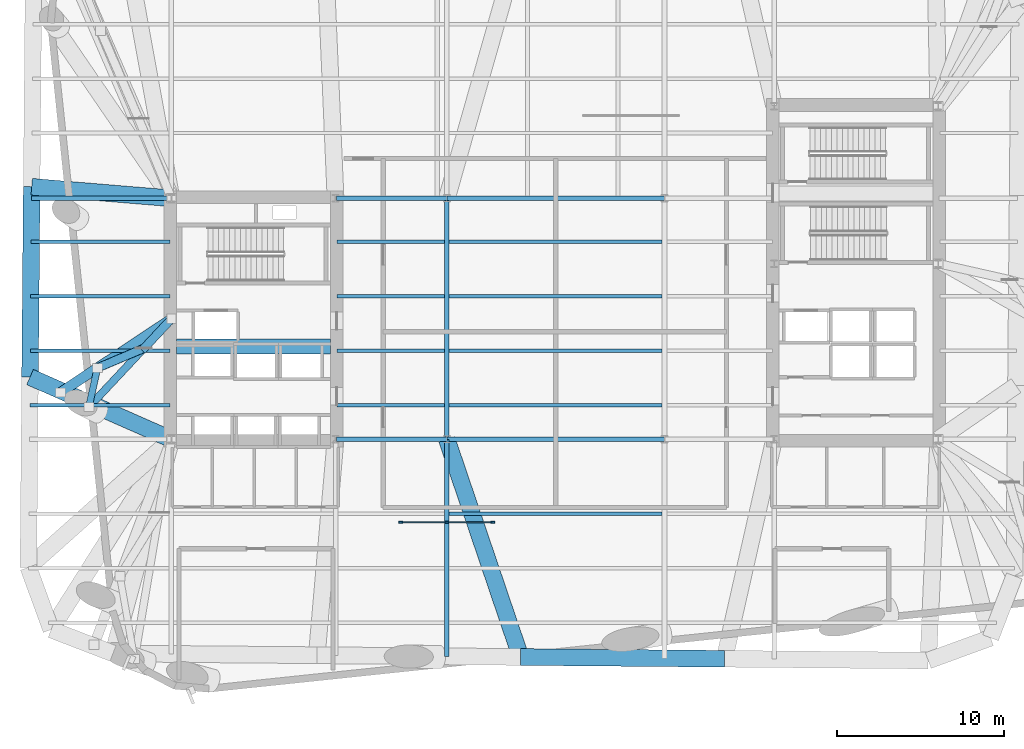
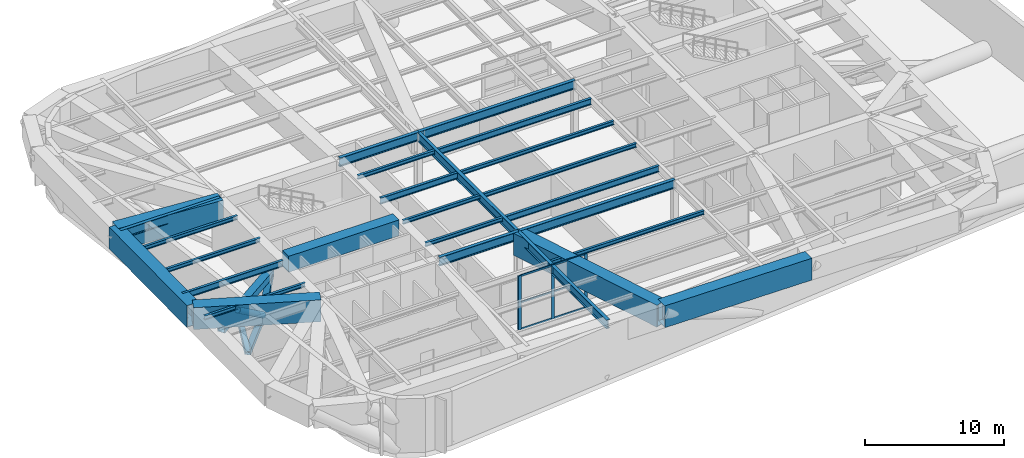
# One storey, part 2 of 15: 26 beams, 14 members, 1 element without a shape of its own.
"""IFC4 building model written with IfcOpenShell, lengths in metres."""

from ifc_helpers import new_model, si_unit, direction, frame, origin, origin_2d, place, context, subcontext, project, spatial, rectangle, hollow_rectangle, hollow_circle, i_section, extrude, material, material_profile, profile_set, type_object, element, aggregate, save


model = new_model("IFC4")

# Units and contexts
model_context = context("Model", 3, precision=1e-05, world=origin(), true_north=direction((0.0, 1.0)))
body_context = subcontext(model_context, "Body", "Model", "MODEL_VIEW")
ifc_project = project(units=[si_unit("LENGTHUNIT", "METRE"), si_unit("AREAUNIT", "SQUARE_METRE"), si_unit("VOLUMEUNIT", "CUBIC_METRE"), si_unit("PLANEANGLEUNIT", "RADIAN"), si_unit("MASSUNIT", "GRAM", prefix="KILO")], contexts=[model_context])

# Site, building, storey
site_placement = place(None, origin())
site = spatial("IfcSite", under=ifc_project, at=site_placement, CompositionType="ELEMENT")
building_placement = place(site_placement, origin())
building = spatial("IfcBuilding", under=site, at=building_placement, Name="Kolvaren Arena Tower", CompositionType="ELEMENT")
storey_placement = place(building_placement, frame((0.0, 0.0, 153.25)))
storey = spatial("IfcBuildingStorey", under=building, at=storey_placement, Name="L36", CompositionType="ELEMENT", Elevation=153.25)

# Beams
ifc_material_1 = material(Name="Steel CSA G40.21 350W", Category="steel")
ifc_material_profile_1 = material_profile(ifc_material_1, i_section(OverallWidth=0.2119140625, OverallDepth=0.54296875, WebThickness=0.01318359375, FlangeThickness=0.0244140625, FilletRadius=0.013916015625, at=origin_2d()), Name="W530x150")
ifc_profile_set_1 = profile_set([ifc_material_profile_1], Name="Steel CSA G40.21 350W")
beam_type_1 = type_object("IfcBeamType", Name="BEAM-F1", PredefinedType="BEAM", material=ifc_profile_set_1)
beam_1_placement = place(storey_placement, frame((31.135009765625, 21.5, 4.478515625), z_axis=(1.0, 0.0, 0.0), x_axis=(0.0, 1.0, 0.0)))
element("IfcBeam", 1, at=beam_1_placement, inside=storey, type_object=beam_type_1, Name="Composite Floor Beam (L36)", PredefinedType="BEAM", context=body_context, shape_type="SweptSolid", body=[
    extrude(i_section(OverallWidth=0.2119140625, OverallDepth=0.54296875, WebThickness=0.01318359375, FlangeThickness=0.0244140625, FilletRadius=0.013916015625, at=origin_2d()), origin(), (0.0, 0.0, 1.0), 12.72998046875),
])
beam_2_placement = place(storey_placement, frame((6.115234375, 24.75, 4.478515625), z_axis=(1.0, 0.0, 0.0), x_axis=(0.0, 1.0, 0.0)))
element("IfcBeam", 2, at=beam_2_placement, inside=storey, type_object=beam_type_1, Name="Composite Floor Beam (L36)", PredefinedType="BEAM", context=body_context, shape_type="SweptSolid", body=[
    extrude(i_section(OverallWidth=0.2119140625, OverallDepth=0.54296875, WebThickness=0.01318359375, FlangeThickness=0.0244140625, FilletRadius=0.013916015625, at=origin_2d()), origin(), (0.0, 0.0, 1.0), 8.33984375),
])
beam_3_placement = place(storey_placement, frame((24.445068359375, 28.0, 4.478515625), z_axis=(1.0, 0.0, 0.0), x_axis=(0.0, 1.0, 0.0)))
element("IfcBeam", 3, at=beam_3_placement, inside=storey, type_object=beam_type_1, Name="Composite Floor Beam (L36)", PredefinedType="BEAM", context=body_context, shape_type="SweptSolid", body=[
    extrude(i_section(OverallWidth=0.2119140625, OverallDepth=0.54296875, WebThickness=0.01318359375, FlangeThickness=0.0244140625, FilletRadius=0.013916015625, at=origin_2d()), origin(), (0.0, 0.0, 1.0), 6.419921875),
])
beam_4_placement = place(storey_placement, frame((31.135009765625, 31.25, 4.478515625), z_axis=(1.0, 0.0, 0.0), x_axis=(0.0, 1.0, 0.0)))
element("IfcBeam", 4, at=beam_4_placement, inside=storey, type_object=beam_type_1, Name="Composite Floor Beam (L36)", PredefinedType="BEAM", context=body_context, shape_type="SweptSolid", body=[
    extrude(i_section(OverallWidth=0.2119140625, OverallDepth=0.54296875, WebThickness=0.01318359375, FlangeThickness=0.0244140625, FilletRadius=0.013916015625, at=origin_2d()), origin(), (0.0, 0.0, 1.0), 12.72998046875),
])

# Members
ifc_material_2 = material(Name="Steel CSA G40.21 350WT", Category="steel")
ifc_material_profile_2 = material_profile(ifc_material_2, hollow_rectangle(XDim=0.449951171875, YDim=0.449951171875, WallThickness=0.02001953125, at=origin_2d()), Name="HSS 450x450x20")
ifc_profile_set_2 = profile_set([ifc_material_profile_2], Name="Steel CSA G40.21 350WT")
member_type_1 = type_object("IfcMemberType", Name="BELT-CHORD", PredefinedType="CHORD", material=ifc_profile_set_2)
member_1_placement = place(storey_placement, frame((14.550048828125, 26.64990234375, 0.35009765625), z_axis=(-0.683453818061, -0.729993752423, 0.0), x_axis=(0.729993752423, -0.683453818061, 0.0)))
element("IfcMember", 5, at=member_1_placement, inside=storey, type_object=member_type_1, Name="Belt Truss Bottom Chord 5 (L36)", PredefinedType="CHORD", context=body_context, shape_type="SweptSolid", body=[
    extrude(hollow_rectangle(XDim=0.449951171875, YDim=0.449951171875, WallThickness=0.02001953125, at=origin_2d()), origin(), (0.0, 0.0, 1.0), 7.21826171875),
])
ifc_material_profile_3 = material_profile(ifc_material_2, hollow_rectangle(XDim=0.39990234375, YDim=0.39990234375, WallThickness=0.01611328125, at=origin_2d()), Name="HSS 400x400x16")
ifc_profile_set_3 = profile_set([ifc_material_profile_3], Name="Steel CSA G40.21 350WT")
member_type_2 = type_object("IfcMemberType", Name="BELT-DIAG", PredefinedType="BRACE", material=ifc_profile_set_3)
member_2_placement = place(storey_placement, frame((10.126708984375, 23.7158203125, 2.47998046875), z_axis=(-0.159302669082, -0.729406428802, -0.665273568726), x_axis=(0.97697126128, -0.213370932024, 0.0)))
element("IfcMember", 6, at=member_2_placement, inside=storey, type_object=member_type_2, Name="Belt Truss Warren Diagonal C 5 (L36)", PredefinedType="BRACE", context=body_context, shape_type="SweptSolid", body=[
    extrude(hollow_rectangle(XDim=0.39990234375, YDim=0.39990234375, WallThickness=0.01611328125, at=origin_2d()), origin(), (0.0, 0.0, 1.0), 3.201416015625),
])

# Beam
ifc_material_3 = material(Name="Concrete 75 MPa", Category="concrete")
ifc_material_profile_4 = material_profile(ifc_material_3, rectangle(XDim=0.89990234375, YDim=1.39990234375, at=origin_2d()), Name="RC-900x1400")
ifc_profile_set_4 = profile_set([ifc_material_profile_4], Name="Concrete 75 MPa")
beam_type_2 = type_object("IfcBeamType", Name="CB-CORE-1", PredefinedType="BEAM", material=ifc_profile_set_4)
beam_5_placement = place(storey_placement, frame((14.85009765625, 25.0, 4.320068359375), z_axis=(1.0, 0.0, 0.0), x_axis=(0.0, 1.0, 0.0)))
element("IfcBeam", 7, at=beam_5_placement, inside=storey, type_object=beam_type_2, Name="West Core Coupling Beam (L36)", PredefinedType="BEAM", context=body_context, shape_type="SweptSolid", body=[
    extrude(rectangle(XDim=0.89990234375, YDim=1.39990234375, at=origin_2d()), origin(), (0.0, 0.0, 1.0), 9.199951171875),
])

# Curtain wall, members
ifc_material_4 = material(Name="Anodised aluminium unitised curtain wall", Category="aluminium")
curtain_wall_type = type_object("IfcCurtainWallType", Name="CW-SYS-05", PredefinedType="USERDEFINED", material=ifc_material_4)
curtain_wall_placement = place(storey_placement, origin())
curtain_wall = element("IfcCurtainWall", 8, at=curtain_wall_placement, inside=storey, type_object=curtain_wall_type, Name="Mechanical Plant Louvre Curtain Wall (L36)", ObjectType="ACOUSTIC LOUVRE SCREEN", PredefinedType="USERDEFINED")
ifc_material_5 = material(Name="Anodised aluminium 6063-T6", Category="aluminium")
ifc_material_profile_5 = material_profile(ifc_material_5, rectangle(XDim=0.10009765625, YDim=0.239990234375, at=origin_2d()), Name="ALU-100x240")
ifc_profile_set_5 = profile_set([ifc_material_profile_5], Name="Anodised aluminium 6063-T6")
member_type_3 = type_object("IfcMemberType", Name="CWM-HVY", PredefinedType="MULLION", material=ifc_profile_set_5)
member_3_placement = place(storey_placement, frame((28.25, 14.5, 0.0), z_axis=(0.0, 0.0, 1.0), x_axis=(0.0, 1.0, 0.0)))
member_3 = element("IfcMember", 9, at=member_3_placement, type_object=member_type_3, Name="CW5 mullion 1", PredefinedType="MULLION", context=body_context, shape_type="SweptSolid", body=[
    extrude(rectangle(XDim=0.10009765625, YDim=0.239990234375, at=origin_2d()), origin(), (0.0, 0.0, 1.0), 4.75),
])
member_4_placement = place(storey_placement, frame((31.0, 14.5, 0.0), z_axis=(0.0, 0.0, 1.0), x_axis=(0.0, 1.0, 0.0)))
member_4 = element("IfcMember", 10, at=member_4_placement, type_object=member_type_3, Name="CW5 mullion 2", PredefinedType="MULLION", context=body_context, shape_type="SweptSolid", body=[
    extrude(rectangle(XDim=0.10009765625, YDim=0.239990234375, at=origin_2d()), origin(), (0.0, 0.0, 1.0), 4.75),
])
member_5_placement = place(storey_placement, frame((33.75, 14.5, 0.0), z_axis=(0.0, 0.0, 1.0), x_axis=(0.0, 1.0, 0.0)))
member_5 = element("IfcMember", 11, at=member_5_placement, type_object=member_type_3, Name="CW5 mullion 3", PredefinedType="MULLION", context=body_context, shape_type="SweptSolid", body=[
    extrude(rectangle(XDim=0.10009765625, YDim=0.239990234375, at=origin_2d()), origin(), (0.0, 0.0, 1.0), 4.75),
])
ifc_material_profile_6 = material_profile(ifc_material_5, rectangle(XDim=0.080078125, YDim=0.14990234375, at=origin_2d()), Name="ALU-80x150")
ifc_profile_set_6 = profile_set([ifc_material_profile_6], Name="Anodised aluminium 6063-T6")
member_type_4 = type_object("IfcMemberType", Name="CWT-STD", PredefinedType="USERDEFINED", material=ifc_profile_set_6)
member_6_placement = place(storey_placement, frame((28.300048828125, 14.5, 0.0400390625), z_axis=(1.0, 0.0, 0.0), x_axis=(0.0, 1.0, 0.0)))
member_6 = element("IfcMember", 12, at=member_6_placement, type_object=member_type_4, Name="CW5 transom 1.1", ObjectType="TRANSOM", PredefinedType="USERDEFINED", context=body_context, shape_type="SweptSolid", body=[
    extrude(rectangle(XDim=0.080078125, YDim=0.14990234375, at=origin_2d()), origin(), (0.0, 0.0, 1.0), 2.64990234375),
])
member_7_placement = place(storey_placement, frame((28.300048828125, 14.5, 2.375), z_axis=(1.0, 0.0, 0.0), x_axis=(0.0, 1.0, 0.0)))
member_7 = element("IfcMember", 13, at=member_7_placement, type_object=member_type_4, Name="CW5 transom 1.2", ObjectType="TRANSOM", PredefinedType="USERDEFINED", context=body_context, shape_type="SweptSolid", body=[
    extrude(rectangle(XDim=0.080078125, YDim=0.14990234375, at=origin_2d()), origin(), (0.0, 0.0, 1.0), 2.64990234375),
])
member_8_placement = place(storey_placement, frame((28.300048828125, 14.5, 4.7099609375), z_axis=(1.0, 0.0, 0.0), x_axis=(0.0, 1.0, 0.0)))
member_8 = element("IfcMember", 14, at=member_8_placement, type_object=member_type_4, Name="CW5 transom 1.3", ObjectType="TRANSOM", PredefinedType="USERDEFINED", context=body_context, shape_type="SweptSolid", body=[
    extrude(rectangle(XDim=0.080078125, YDim=0.14990234375, at=origin_2d()), origin(), (0.0, 0.0, 1.0), 2.64990234375),
])
member_9_placement = place(storey_placement, frame((31.050048828125, 14.5, 0.0400390625), z_axis=(1.0, 0.0, 0.0), x_axis=(0.0, 1.0, 0.0)))
member_9 = element("IfcMember", 15, at=member_9_placement, type_object=member_type_4, Name="CW5 transom 2.1", ObjectType="TRANSOM", PredefinedType="USERDEFINED", context=body_context, shape_type="SweptSolid", body=[
    extrude(rectangle(XDim=0.080078125, YDim=0.14990234375, at=origin_2d()), origin(), (0.0, 0.0, 1.0), 2.64990234375),
])
member_10_placement = place(storey_placement, frame((31.050048828125, 14.5, 2.375), z_axis=(1.0, 0.0, 0.0), x_axis=(0.0, 1.0, 0.0)))
member_10 = element("IfcMember", 16, at=member_10_placement, type_object=member_type_4, Name="CW5 transom 2.2", ObjectType="TRANSOM", PredefinedType="USERDEFINED", context=body_context, shape_type="SweptSolid", body=[
    extrude(rectangle(XDim=0.080078125, YDim=0.14990234375, at=origin_2d()), origin(), (0.0, 0.0, 1.0), 2.64990234375),
])
member_11_placement = place(storey_placement, frame((31.050048828125, 14.5, 4.7099609375), z_axis=(1.0, 0.0, 0.0), x_axis=(0.0, 1.0, 0.0)))
member_11 = element("IfcMember", 17, at=member_11_placement, type_object=member_type_4, Name="CW5 transom 2.3", ObjectType="TRANSOM", PredefinedType="USERDEFINED", context=body_context, shape_type="SweptSolid", body=[
    extrude(rectangle(XDim=0.080078125, YDim=0.14990234375, at=origin_2d()), origin(), (0.0, 0.0, 1.0), 2.64990234375),
])
aggregate(curtain_wall, [member_3, member_4, member_5, member_6, member_7, member_8, member_9, member_10, member_11])

# Member
ifc_material_profile_7 = material_profile(ifc_material_2, hollow_circle(Radius=0.25390625, WallThickness=0.02490234375, at=origin_2d()), Name="CHS 508x25")
ifc_profile_set_7 = profile_set([ifc_material_profile_7], Name="Steel CSA G40.21 350WT")
member_type_5 = type_object("IfcMemberType", Name="EXO-BRACE1", PredefinedType="BRACE", material=ifc_profile_set_7)
member_12_placement = place(storey_placement, frame((12.905517578125, 24.8935546875, 0.35009765625), z_axis=(-0.752260231991, -0.31882826912, 0.576587441916), x_axis=(0.390225748773, -0.920719210723, 0.0)))
element("IfcMember", 18, at=member_12_placement, inside=storey, type_object=member_type_5, Name="Outrigger Warren Diagonal B 5 (L36)", PredefinedType="BRACE", context=body_context, shape_type="SweptSolid", body=[
    extrude(hollow_circle(Radius=0.25390625, WallThickness=0.02490234375, at=origin_2d()), origin(), (0.0, 0.0, 1.0), 3.69384765625),
])

# Beams
ifc_material_profile_8 = material_profile(ifc_material_1, i_section(OverallWidth=0.27001953125, OverallDepth=0.77294921875, WebThickness=0.019287109375, FlangeThickness=0.033447265625, FilletRadius=0.01806640625, at=origin_2d()), Name="W760x257")
ifc_profile_set_8 = profile_set([ifc_material_profile_8], Name="Steel CSA G40.21 350W")
beam_type_3 = type_object("IfcBeamType", Name="GIRD-T1", PredefinedType="BEAM", material=ifc_profile_set_8)
beam_6_placement = place(storey_placement, frame((24.405029296875, 19.449951171875, 4.363525390625), z_axis=(1.0, 0.0, 0.0), x_axis=(0.0, 1.0, 0.0)))
element("IfcBeam", 19, at=beam_6_placement, inside=storey, type_object=beam_type_3, Name="Primary Floor Girder (L36)", PredefinedType="BEAM", context=body_context, shape_type="SweptSolid", body=[
    extrude(i_section(OverallWidth=0.27001953125, OverallDepth=0.77294921875, WebThickness=0.019287109375, FlangeThickness=0.033447265625, FilletRadius=0.01806640625, at=origin_2d()), origin(), (0.0, 0.0, 1.0), 6.594970703125),
])
beam_7_placement = place(storey_placement, frame((31.0, 19.449951171875, 4.363525390625), z_axis=(1.0, 0.0, 0.0), x_axis=(0.0, 1.0, 0.0)))
element("IfcBeam", 20, at=beam_7_placement, inside=storey, type_object=beam_type_3, Name="Primary Floor Girder (L36)", PredefinedType="BEAM", context=body_context, shape_type="SweptSolid", body=[
    extrude(i_section(OverallWidth=0.27001953125, OverallDepth=0.77294921875, WebThickness=0.019287109375, FlangeThickness=0.033447265625, FilletRadius=0.01806640625, at=origin_2d()), origin(), (0.0, 0.0, 1.0), 13.0),
])
beam_8_placement = place(storey_placement, frame((6.194580078125, 33.85009765625, 4.363525390625), z_axis=(1.0, 0.0, 0.0), x_axis=(0.0, 1.0, 0.0)))
element("IfcBeam", 21, at=beam_8_placement, inside=storey, type_object=beam_type_3, Name="Primary Floor Girder (L36)", PredefinedType="BEAM", context=body_context, shape_type="SweptSolid", body=[
    extrude(i_section(OverallWidth=0.27001953125, OverallDepth=0.77294921875, WebThickness=0.019287109375, FlangeThickness=0.033447265625, FilletRadius=0.01806640625, at=origin_2d()), origin(), (0.0, 0.0, 1.0), 8.300537109375),
])
beam_9_placement = place(storey_placement, frame((24.405029296875, 33.85009765625, 4.363525390625), z_axis=(1.0, 0.0, 0.0), x_axis=(0.0, 1.0, 0.0)))
element("IfcBeam", 22, at=beam_9_placement, inside=storey, type_object=beam_type_3, Name="Primary Floor Girder (L36)", PredefinedType="BEAM", context=body_context, shape_type="SweptSolid", body=[
    extrude(i_section(OverallWidth=0.27001953125, OverallDepth=0.77294921875, WebThickness=0.019287109375, FlangeThickness=0.033447265625, FilletRadius=0.01806640625, at=origin_2d()), origin(), (0.0, 0.0, 1.0), 6.594970703125),
])
beam_10_placement = place(storey_placement, frame((31.0, 33.85009765625, 4.363525390625), z_axis=(1.0, 0.0, 0.0), x_axis=(0.0, 1.0, 0.0)))
element("IfcBeam", 23, at=beam_10_placement, inside=storey, type_object=beam_type_3, Name="Primary Floor Girder (L36)", PredefinedType="BEAM", context=body_context, shape_type="SweptSolid", body=[
    extrude(i_section(OverallWidth=0.27001953125, OverallDepth=0.77294921875, WebThickness=0.019287109375, FlangeThickness=0.033447265625, FilletRadius=0.01806640625, at=origin_2d()), origin(), (0.0, 0.0, 1.0), 13.0),
])
beam_11_placement = place(storey_placement, frame((31.0, 6.4892578125, 4.363525390625), z_axis=(0.0, 1.0, 0.0), x_axis=(-1.0, 0.0, 0.0)))
element("IfcBeam", 24, at=beam_11_placement, inside=storey, type_object=beam_type_3, Name="Primary Floor Girder (L36)", PredefinedType="BEAM", context=body_context, shape_type="SweptSolid", body=[
    extrude(i_section(OverallWidth=0.27001953125, OverallDepth=0.77294921875, WebThickness=0.019287109375, FlangeThickness=0.033447265625, FilletRadius=0.01806640625, at=origin_2d()), origin(), (0.0, 0.0, 1.0), 12.960693359375),
])
beam_12_placement = place(storey_placement, frame((31.0, 19.449951171875, 4.363525390625), z_axis=(0.0, 1.0, 0.0), x_axis=(-1.0, 0.0, 0.0)))
element("IfcBeam", 25, at=beam_12_placement, inside=storey, type_object=beam_type_3, Name="Primary Floor Girder (L36)", PredefinedType="BEAM", context=body_context, shape_type="SweptSolid", body=[
    extrude(i_section(OverallWidth=0.27001953125, OverallDepth=0.77294921875, WebThickness=0.019287109375, FlangeThickness=0.033447265625, FilletRadius=0.01806640625, at=origin_2d()), origin(), (0.0, 0.0, 1.0), 14.400146484375),
])
ifc_material_profile_9 = material_profile(ifc_material_1, i_section(OverallWidth=0.202880859375, OverallDepth=0.346923828125, WebThickness=0.0078125, FlangeThickness=0.013427734375, FilletRadius=0.010986328125, at=origin_2d()), Name="W360x64")
ifc_profile_set_9 = profile_set([ifc_material_profile_9], Name="Steel CSA G40.21 350W")
beam_type_4 = type_object("IfcBeamType", Name="JOIST-01", PredefinedType="JOIST", material=ifc_profile_set_9)
beam_13_placement = place(storey_placement, frame((31.135009765625, 15.0, 4.576416015625), z_axis=(1.0, 0.0, 0.0), x_axis=(0.0, 1.0, 0.0)))
element("IfcBeam", 26, at=beam_13_placement, inside=storey, type_object=beam_type_4, Name="Composite Floor Joist (L36)", PredefinedType="JOIST", context=body_context, shape_type="SweptSolid", body=[
    extrude(i_section(OverallWidth=0.202880859375, OverallDepth=0.346923828125, WebThickness=0.0078125, FlangeThickness=0.013427734375, FilletRadius=0.010986328125, at=origin_2d()), origin(), (0.0, 0.0, 1.0), 12.72998046875),
])
beam_14_placement = place(storey_placement, frame((6.0869140625, 21.5, 4.576416015625), z_axis=(1.0, 0.0, 0.0), x_axis=(0.0, 1.0, 0.0)))
element("IfcBeam", 27, at=beam_14_placement, inside=storey, type_object=beam_type_4, Name="Composite Floor Joist (L36)", PredefinedType="JOIST", context=body_context, shape_type="SweptSolid", body=[
    extrude(i_section(OverallWidth=0.202880859375, OverallDepth=0.346923828125, WebThickness=0.0078125, FlangeThickness=0.013427734375, FilletRadius=0.010986328125, at=origin_2d()), origin(), (0.0, 0.0, 1.0), 8.3681640625),
])
for number, where, z_axis, x_axis, name in (
    (28, (24.445068359375, 21.5, 4.576416015625), (1.0, 0.0, 0.0), (0.0, 1.0, 0.0), "Composite Floor Joist (L36)"),
    (29, (24.445068359375, 24.75, 4.576416015625), (1.0, 0.0, 0.0), (0.0, 1.0, 0.0), "Composite Floor Joist (L36)"),
):
    element("IfcBeam", number, at=place(storey_placement, frame(where, z_axis=z_axis, x_axis=x_axis)), inside=storey, type_object=beam_type_4, Name=name, PredefinedType="JOIST", context=body_context, shape_type="SweptSolid", body=[
        extrude(i_section(OverallWidth=0.202880859375, OverallDepth=0.346923828125, WebThickness=0.0078125, FlangeThickness=0.013427734375, FilletRadius=0.010986328125, at=origin_2d()), origin(), (0.0, 0.0, 1.0), 6.419921875),
    ])
beam_15_placement = place(storey_placement, frame((31.135009765625, 24.75, 4.576416015625), z_axis=(1.0, 0.0, 0.0), x_axis=(0.0, 1.0, 0.0)))
element("IfcBeam", 30, at=beam_15_placement, inside=storey, type_object=beam_type_4, Name="Composite Floor Joist (L36)", PredefinedType="JOIST", context=body_context, shape_type="SweptSolid", body=[
    extrude(i_section(OverallWidth=0.202880859375, OverallDepth=0.346923828125, WebThickness=0.0078125, FlangeThickness=0.013427734375, FilletRadius=0.010986328125, at=origin_2d()), origin(), (0.0, 0.0, 1.0), 12.72998046875),
])
beam_16_placement = place(storey_placement, frame((6.1435546875, 28.0, 4.576416015625), z_axis=(1.0, 0.0, 0.0), x_axis=(0.0, 1.0, 0.0)))
element("IfcBeam", 31, at=beam_16_placement, inside=storey, type_object=beam_type_4, Name="Composite Floor Joist (L36)", PredefinedType="JOIST", context=body_context, shape_type="SweptSolid", body=[
    extrude(i_section(OverallWidth=0.202880859375, OverallDepth=0.346923828125, WebThickness=0.0078125, FlangeThickness=0.013427734375, FilletRadius=0.010986328125, at=origin_2d()), origin(), (0.0, 0.0, 1.0), 8.3115234375),
])
beam_17_placement = place(storey_placement, frame((31.135009765625, 28.0, 4.576416015625), z_axis=(1.0, 0.0, 0.0), x_axis=(0.0, 1.0, 0.0)))
element("IfcBeam", 32, at=beam_17_placement, inside=storey, type_object=beam_type_4, Name="Composite Floor Joist (L36)", PredefinedType="JOIST", context=body_context, shape_type="SweptSolid", body=[
    extrude(i_section(OverallWidth=0.202880859375, OverallDepth=0.346923828125, WebThickness=0.0078125, FlangeThickness=0.013427734375, FilletRadius=0.010986328125, at=origin_2d()), origin(), (0.0, 0.0, 1.0), 12.72998046875),
])
beam_18_placement = place(storey_placement, frame((6.172119140625, 31.25, 4.576416015625), z_axis=(1.0, 0.0, 0.0), x_axis=(0.0, 1.0, 0.0)))
element("IfcBeam", 33, at=beam_18_placement, inside=storey, type_object=beam_type_4, Name="Composite Floor Joist (L36)", PredefinedType="JOIST", context=body_context, shape_type="SweptSolid", body=[
    extrude(i_section(OverallWidth=0.202880859375, OverallDepth=0.346923828125, WebThickness=0.0078125, FlangeThickness=0.013427734375, FilletRadius=0.010986328125, at=origin_2d()), origin(), (0.0, 0.0, 1.0), 8.282958984375),
])
beam_19_placement = place(storey_placement, frame((24.445068359375, 31.25, 4.576416015625), z_axis=(1.0, 0.0, 0.0), x_axis=(0.0, 1.0, 0.0)))
element("IfcBeam", 34, at=beam_19_placement, inside=storey, type_object=beam_type_4, Name="Composite Floor Joist (L36)", PredefinedType="JOIST", context=body_context, shape_type="SweptSolid", body=[
    extrude(i_section(OverallWidth=0.202880859375, OverallDepth=0.346923828125, WebThickness=0.0078125, FlangeThickness=0.013427734375, FilletRadius=0.010986328125, at=origin_2d()), origin(), (0.0, 0.0, 1.0), 6.419921875),
])

# Members
ifc_material_profile_10 = material_profile(ifc_material_2, hollow_rectangle(XDim=0.60009765625, YDim=0.60009765625, WallThickness=0.02490234375, at=origin_2d()), Name="HSS 600x600x25")
ifc_profile_set_10 = profile_set([ifc_material_profile_10], Name="Steel CSA G40.21 350WT")
member_type_6 = type_object("IfcMemberType", Name="OUT-CHORD", PredefinedType="CHORD", material=ifc_profile_set_10)
member_13_placement = place(storey_placement, frame((14.550048828125, 26.64990234375, 2.47998046875), z_axis=(-0.833335909484, -0.55276691468, 0.0), x_axis=(0.55276691468, -0.833335909484, 0.0)))
element("IfcMember", 35, at=member_13_placement, inside=storey, type_object=member_type_6, Name="Outrigger Top Chord 5 (L36)", PredefinedType="CHORD", context=body_context, shape_type="SweptSolid", body=[
    extrude(hollow_rectangle(XDim=0.60009765625, YDim=0.60009765625, WallThickness=0.02490234375, at=origin_2d()), origin(), (0.0, 0.0, 1.0), 7.9619140625),
])
ifc_material_profile_11 = material_profile(ifc_material_2, hollow_rectangle(XDim=0.5, YDim=0.5, WallThickness=0.02197265625, at=origin_2d()), Name="HSS 500x500x22")
ifc_profile_set_11 = profile_set([ifc_material_profile_11], Name="Steel CSA G40.21 350WT")
member_type_7 = type_object("IfcMemberType", Name="OUT-DIAG", PredefinedType="BRACE", material=ifc_profile_set_11)
member_14_placement = place(storey_placement, frame((14.550048828125, 26.64990234375, 2.47998046875), z_axis=(-0.511780367147, -0.546577785223, -0.662822435124), x_axis=(0.729961077996, -0.683488715789, 0.0)))
element("IfcMember", 36, at=member_14_placement, inside=storey, type_object=member_type_7, Name="Outrigger Warren Diagonal A 5 (L36)", PredefinedType="BRACE", context=body_context, shape_type="SweptSolid", body=[
    extrude(hollow_rectangle(XDim=0.5, YDim=0.5, WallThickness=0.02197265625, at=origin_2d()), origin(), (0.0, 0.0, 1.0), 3.21337890625),
])

# Beams
ifc_material_profile_12 = material_profile(ifc_material_2, hollow_rectangle(XDim=1.0, YDim=1.919921875, WallThickness=0.044921875, at=origin_2d()), Name="BOX 1000x1920x45")
ifc_profile_set_12 = profile_set([ifc_material_profile_12], Name="Steel CSA G40.21 350WT")
beam_type_5 = type_object("IfcBeamType", Name="TG-MEGA", PredefinedType="USERDEFINED", material=ifc_profile_set_12)
beam_20_placement = place(storey_placement, frame((35.40673828125, 6.45068359375, 3.7900390625), z_axis=(0.99996195503, -0.008722871848, 0.0), x_axis=(0.008722871848, 0.99996195503, 0.0)))
element("IfcBeam", 37, at=beam_20_placement, inside=storey, type_object=beam_type_5, Name="Perimeter Transfer Ring Girder 03 (L36)", ObjectType="TRANSFER GIRDER", PredefinedType="USERDEFINED", context=body_context, shape_type="SweptSolid", body=[
    extrude(hollow_rectangle(XDim=1.0, YDim=1.919921875, WallThickness=0.044921875, at=origin_2d()), origin(), (0.0, 0.0, 1.0), 12.175048828125),
])
beam_21_placement = place(storey_placement, frame((35.40673828125, 6.45068359375, 3.7900390625), z_axis=(-0.321052801154, 0.947061296259, 0.0), x_axis=(-0.947061296259, -0.321052801154, 0.0)))
element("IfcBeam", 38, at=beam_21_placement, inside=storey, type_object=beam_type_5, Name="Cantilever Block Transfer Girder 03 (L36)", ObjectType="TRANSFER GIRDER", PredefinedType="USERDEFINED", context=body_context, shape_type="SweptSolid", body=[
    extrude(hollow_rectangle(XDim=1.0, YDim=1.919921875, WallThickness=0.044921875, at=origin_2d()), origin(), (0.0, 0.0, 1.0), 13.725830078125),
])
beam_22_placement = place(storey_placement, frame((6.20068359375, 34.5400390625, 3.7900390625), z_axis=(-0.008720348885, -0.999961977035, 0.0), x_axis=(0.999961977035, -0.008720348885, 0.0)))
element("IfcBeam", 39, at=beam_22_placement, inside=storey, type_object=beam_type_5, Name="Perimeter Transfer Ring Girder 19 (L36)", ObjectType="TRANSFER GIRDER", PredefinedType="USERDEFINED", context=body_context, shape_type="SweptSolid", body=[
    extrude(hollow_rectangle(XDim=1.0, YDim=1.919921875, WallThickness=0.044921875, at=origin_2d()), origin(), (0.0, 0.0, 1.0), 11.36669921875),
])
beam_23_placement = place(storey_placement, frame((6.20068359375, 34.5400390625, 3.7900390625), z_axis=(0.996603197544, -0.082353303788, 0.0), x_axis=(0.082353303788, 0.996603197544, 0.0)))
element("IfcBeam", 40, at=beam_23_placement, inside=storey, type_object=beam_type_5, Name="Cantilever Block Transfer Girder 19 (L36)", ObjectType="TRANSFER GIRDER", PredefinedType="USERDEFINED", context=body_context, shape_type="SweptSolid", body=[
    extrude(hollow_rectangle(XDim=1.0, YDim=1.919921875, WallThickness=0.044921875, at=origin_2d()), origin(), (0.0, 0.0, 1.0), 8.3779296875),
])
beam_24_placement = place(storey_placement, frame((6.1015625, 23.173828125, 3.7900390625), z_axis=(0.915053601868, -0.403332252255, 0.0), x_axis=(0.403332252255, 0.915053601868, 0.0)))
element("IfcBeam", 41, at=beam_24_placement, inside=storey, type_object=beam_type_5, Name="Cantilever Block Transfer Girder 20 (L36)", ObjectType="TRANSFER GIRDER", PredefinedType="USERDEFINED", context=body_context, shape_type="SweptSolid", body=[
    extrude(hollow_rectangle(XDim=1.0, YDim=1.919921875, WallThickness=0.044921875, at=origin_2d()), origin(), (0.0, 0.0, 1.0), 9.232666015625),
])

save(model, "model.ifc")
